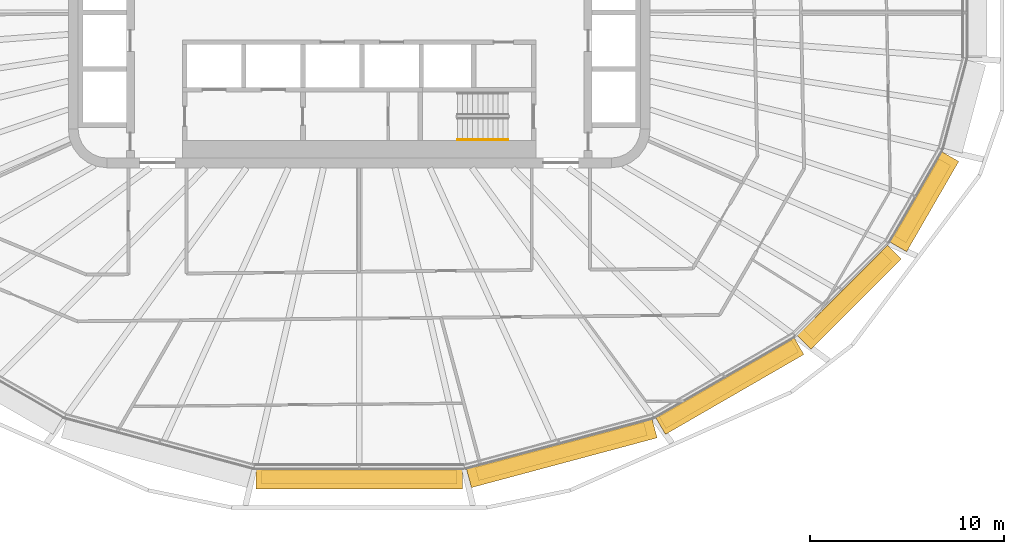
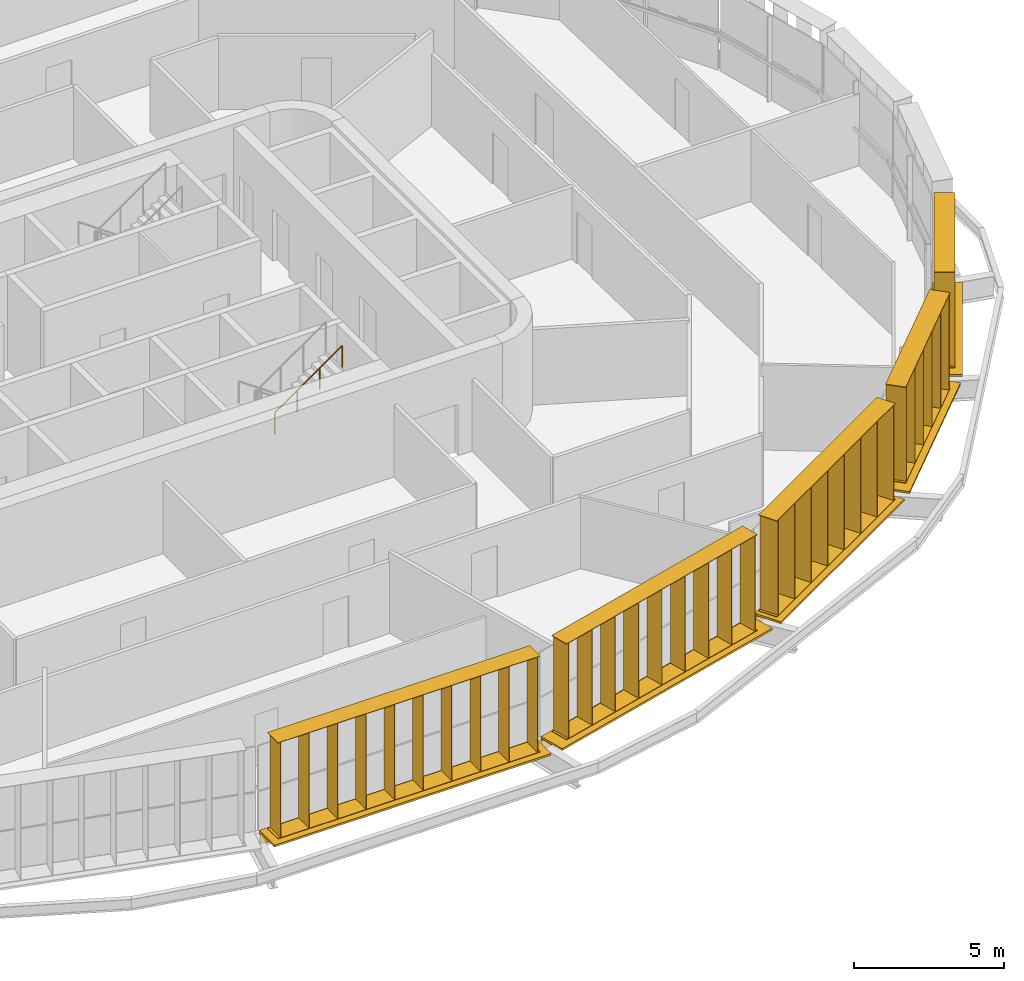
# One storey, part 20 of 23: 10 shading devices, 1 railing.
"""IFC4 building model written with IfcOpenShell, lengths in metres."""

import ifcopenshell
import ifcopenshell.guid

model = None  # the IFC model being written
_history = None  # IfcOwnerHistory: only IFC2X3 demands one
_inside = {}  # id of a spatial element -> (the spatial element, [elements in it])
_under = {}  # id of a project, library or spatial element -> (it, [spatial elements below it])
_declared = {}  # id of a project -> (the project, [libraries it declares])
_typed = {}  # id of a type object -> (the type object, [elements of that type])
_made_of = {}  # id of a material, layer set ... -> (it, [elements and type objects made of it])


def new_model(schema):
    """Start an empty IFC model of exactly this schema.

    Asked for "IFC4X3", IfcOpenShell would pick the latest addendum, in which some entities
    have other attributes; the version numbers below select the first issue.
    IFC2X3 requires an IfcOwnerHistory on every rooted entity: one is made here for all.
    """
    global model, _history
    if schema == "IFC4X3":
        model = ifcopenshell.file(schema_version=(4, 3, 0, 0))
    else:
        model = ifcopenshell.file(schema=schema)
    _inside.clear()
    _under.clear()
    _declared.clear()
    _typed.clear()
    _made_of.clear()
    _history = None
    if model.schema == "IFC2X3":
        org = make("IfcOrganization", Name="unknown")
        user = make(
            "IfcPersonAndOrganization",
            ThePerson=make("IfcPerson", FamilyName="unknown"),
            TheOrganization=org,
        )
        app = make(
            "IfcApplication",
            ApplicationDeveloper=org,
            Version="unknown",
            ApplicationFullName="unknown",
            ApplicationIdentifier="unknown",
        )
        _history = make(
            "IfcOwnerHistory",
            OwningUser=user,
            OwningApplication=app,
            ChangeAction="ADDED",
            CreationDate=0,
        )
    return model


def make(cls, **values):
    """One entity of the class cls with the attributes given. An attribute that is None is left unset."""
    return model.create_entity(
        cls, **{name: value for name, value in values.items() if value is not None}
    )


def rooted(cls, **values):
    """An entity with a GlobalId (a new one), such as an element, a storey or a relation."""
    return make(cls, GlobalId=ifcopenshell.guid.new(), OwnerHistory=_history, **values)


def si_unit(unit_type, name, prefix=None):
    """IfcSIUnit, for example si_unit("LENGTHUNIT", "METRE", prefix="MILLI")."""
    return make("IfcSIUnit", UnitType=unit_type, Prefix=prefix, Name=name)


def assignment(units):
    """IfcUnitAssignment: the units of a project."""
    return None if units is None else make("IfcUnitAssignment", Units=units)


def point(xyz):
    """IfcCartesianPoint."""
    return None if xyz is None else make("IfcCartesianPoint", Coordinates=xyz)


def direction(xyz):
    """IfcDirection."""
    return None if xyz is None else make("IfcDirection", DirectionRatios=xyz)


def frame(location, z_axis=None, x_axis=None):
    """IfcAxis2Placement3D, a coordinate frame: its origin and axes. An axis left out is left unset."""
    return make(
        "IfcAxis2Placement3D",
        Location=point(location),
        Axis=direction(z_axis),
        RefDirection=direction(x_axis),
    )


def frame_2d(location, x_axis=None):
    """IfcAxis2Placement2D, a coordinate frame in the plane: its origin and x axis."""
    return make(
        "IfcAxis2Placement2D", Location=point(location), RefDirection=direction(x_axis)
    )


def origin():
    """The frame at (0, 0, 0) with its axes left unset."""
    return frame((0.0, 0.0, 0.0))


def origin_2d():
    """The frame at (0, 0) in the plane with its x axis left unset."""
    return frame_2d((0.0, 0.0))


def place(relative_to, where):
    """IfcLocalPlacement: puts the frame where relative to a parent placement (None: the world)."""
    return make(
        "IfcLocalPlacement", PlacementRelTo=relative_to, RelativePlacement=where
    )


def context(
    kind, dimensions, precision=None, world=None, true_north=None, identifier=None
):
    """IfcGeometricRepresentationContext, for example the 3D "Model" context."""
    return make(
        "IfcGeometricRepresentationContext",
        ContextIdentifier=identifier,
        ContextType=kind,
        CoordinateSpaceDimension=dimensions,
        Precision=precision,
        WorldCoordinateSystem=world,
        TrueNorth=true_north,
    )


def subcontext(parent, identifier, kind, view, scale=None):
    """IfcGeometricRepresentationSubContext, for example "Body" below "Model"."""
    return make(
        "IfcGeometricRepresentationSubContext",
        ContextIdentifier=identifier,
        ContextType=kind,
        ParentContext=parent,
        TargetScale=scale,
        TargetView=view,
    )


def project(units=None, contexts=None):
    """IfcProject with its units and contexts."""
    return rooted(
        "IfcProject",
        Name="project",
        RepresentationContexts=contexts,
        UnitsInContext=assignment(units),
    )


def spatial(cls, under=None, at=None, **own):
    """A site, building, storey or space (cls), placed at a placement, below another one or the project."""
    s = rooted(cls, ObjectPlacement=at, **own)
    if under is not None:
        _under.setdefault(under.id(), (under, []))[1].append(s)
    return s


def profile(cls, at=None, kind="AREA", **sizes):
    """A parametric profile (cls). Its sizes go by their IFC names, for example OverallWidth=200.0."""
    return make(cls, ProfileType=kind, Position=at, **sizes)


def rectangle(**sizes):
    """IfcRectangleProfileDef."""
    return profile("IfcRectangleProfileDef", **sizes)


def circle(**sizes):
    """IfcCircleProfileDef."""
    return profile("IfcCircleProfileDef", **sizes)


def extrude(swept, where, along, depth):
    """IfcExtrudedAreaSolid: the profile swept, set in the frame where, extruded along a direction by depth."""
    return make(
        "IfcExtrudedAreaSolid",
        SweptArea=swept,
        Position=where,
        ExtrudedDirection=direction(along),
        Depth=depth,
    )


def shape(context_of_items, identifier, shape_type, items):
    """IfcShapeRepresentation: the items that make up one representation, for example the "Body"."""
    return make(
        "IfcShapeRepresentation",
        ContextOfItems=context_of_items,
        RepresentationIdentifier=identifier,
        RepresentationType=shape_type,
        Items=items,
    )


def material(Name=None, Category=None):
    """IfcMaterial."""
    return make("IfcMaterial", Name=Name, Category=Category)


def made_of(thing, what):
    """Note that an element or type object is made of a material, layer set ...; save() writes the relation."""
    if what is not None:
        _made_of.setdefault(what.id(), (what, []))[1].append(thing)
    return thing


def type_object(cls, material=None, **own):
    """A type object (cls), such as IfcWallType, which elements share."""
    return made_of(rooted(cls, **own), material)


def element(
    cls,
    number,
    at=None,
    inside=None,
    cuts=None,
    type_object=None,
    material=None,
    context=None,
    identifier="Body",
    shape_type=None,
    held_by="IfcProductDefinitionShape",
    body=None,
    shapes=None,
    **own,
):
    """One element of the class cls, such as IfcWall. Its Tag is "e" and its number.

    at: its placement. inside: the storey or other place that contains it. cuts: it is an
    opening in that element (IfcRelVoidsElement). A single representation is given by context,
    identifier, shape_type and body (its items); several are given by shapes. held_by: the class
    of the entity that holds the representations. save() writes the other relations.
    """
    e = rooted(cls, Tag="e%d" % number, ObjectPlacement=at, **own)
    if body is not None:
        shapes = [shape(context, identifier, shape_type, body)]
    if shapes is not None:
        e.Representation = make(held_by, Representations=shapes)
    if inside is not None:
        _inside.setdefault(inside.id(), (inside, []))[1].append(e)
    if cuts is not None:
        rooted(
            "IfcRelVoidsElement", RelatingBuildingElement=cuts, RelatedOpeningElement=e
        )
    if type_object is not None:
        _typed.setdefault(type_object.id(), (type_object, []))[1].append(e)
    return made_of(e, material)


def aggregate(whole, parts):
    """IfcRelAggregates: a whole, such as a stair, and the parts it consists of."""
    return rooted("IfcRelAggregates", RelatingObject=whole, RelatedObjects=parts)


def save(model, path):
    """Write the relations noted so far, then the file.

    IfcRelAggregates (storeys below a building ...), IfcRelContainedInSpatialStructure (elements
    in a storey), IfcRelDefinesByType, IfcRelAssociatesMaterial and IfcRelDeclares: one each for
    every whole, place, type object, material and project.
    """
    for whole, parts in _under.values():
        aggregate(whole, parts)
    for where, things in _inside.values():
        rooted(
            "IfcRelContainedInSpatialStructure",
            RelatedElements=things,
            RelatingStructure=where,
        )
    for kind, things in _typed.values():
        rooted("IfcRelDefinesByType", RelatedObjects=things, RelatingType=kind)
    for what, things in _made_of.values():
        rooted("IfcRelAssociatesMaterial", RelatedObjects=things, RelatingMaterial=what)
    for by, libraries in _declared.values():
        rooted("IfcRelDeclares", RelatingContext=by, RelatedDefinitions=libraries)
    model.write(path)


model = new_model("IFC4")

# Units and contexts
model_context = context("Model", 3, precision=1e-05, world=origin(), true_north=direction((0.0, 1.0)))
body_context = subcontext(model_context, "Body", "Model", "MODEL_VIEW")
ifc_project = project(units=[si_unit("LENGTHUNIT", "METRE"), si_unit("AREAUNIT", "SQUARE_METRE"), si_unit("VOLUMEUNIT", "CUBIC_METRE"), si_unit("PLANEANGLEUNIT", "RADIAN"), si_unit("MASSUNIT", "GRAM", prefix="KILO")], contexts=[model_context])

# Site, building, storey
site_placement = place(None, origin())
site = spatial("IfcSite", under=ifc_project, at=site_placement, CompositionType="ELEMENT")
building_placement = place(site_placement, origin())
building = spatial("IfcBuilding", under=site, at=building_placement, Name="Sahrelin Media Tower", CompositionType="ELEMENT")
storey_placement = place(building_placement, frame((0.0, 0.0, 161.60009765625)))
storey = spatial("IfcBuildingStorey", under=building, at=storey_placement, Name="L33", CompositionType="ELEMENT", Elevation=161.60009765625)

# Shading devices
ifc_material_1 = material(Name="Champagne anodised aluminium 6063-T6", Category="aluminium")
shading_device_type_1 = type_object("IfcShadingDeviceType", Name="Fin cassette", PredefinedType="USERDEFINED", material=ifc_material_1)
placement_1 = place(storey_placement, frame((0.0, -23.532470703125, 0.0), z_axis=(0.0, 0.0, 1.0), x_axis=(-1.0, 0.0, 0.0)))
element("IfcShadingDevice", 1, at=placement_1, inside=storey, type_object=shading_device_type_1, Name="L33:FIN:L33-18", ObjectType="FIN", PredefinedType="USERDEFINED", context=body_context, shape_type="SweptSolid", body=[
    extrude(rectangle(XDim=10.10009765625, YDim=0.699951171875, at=origin_2d()), frame((0.0, 0.419921875, 0.0)), (0.0, 0.0, 1.0), 0.02001953125),
    extrude(rectangle(XDim=10.10009765625, YDim=0.699951171875, at=origin_2d()), frame((0.0, 0.419921875, 3.89990234375)), (0.0, 0.0, 1.0), 0.02001953125),
    extrude(rectangle(XDim=0.02001953125, YDim=0.699951171875, at=origin_2d()), frame((-4.949951171875, 0.419921875, 0.010009765625), z_axis=(0.0, 0.0, 1.0), x_axis=(1.0, 0.0, 0.0)), (0.0, 0.0, 1.0), 3.89990234375),
    extrude(rectangle(XDim=0.02001953125, YDim=0.699951171875, at=origin_2d()), frame((-3.85009765625, 0.419921875, 0.010009765625), z_axis=(0.0, 0.0, 1.0), x_axis=(1.0, 0.0, 0.0)), (0.0, 0.0, 1.0), 3.89990234375),
    extrude(rectangle(XDim=0.02001953125, YDim=0.699951171875, at=origin_2d()), frame((-2.75, 0.419921875, 0.010009765625), z_axis=(0.0, 0.0, 1.0), x_axis=(1.0, 0.0, 0.0)), (0.0, 0.0, 1.0), 3.89990234375),
    extrude(rectangle(XDim=0.02001953125, YDim=0.699951171875, at=origin_2d()), frame((-1.64990234375, 0.419921875, 0.010009765625), z_axis=(0.0, 0.0, 1.0), x_axis=(1.0, 0.0, 0.0)), (0.0, 0.0, 1.0), 3.89990234375),
    extrude(rectangle(XDim=0.02001953125, YDim=0.699951171875, at=origin_2d()), frame((-0.550048828125, 0.419921875, 0.010009765625), z_axis=(0.0, 0.0, 1.0), x_axis=(1.0, 0.0, 0.0)), (0.0, 0.0, 1.0), 3.89990234375),
    extrude(rectangle(XDim=0.02001953125, YDim=0.699951171875, at=origin_2d()), frame((0.550048828125, 0.419921875, 0.010009765625), z_axis=(0.0, 0.0, 1.0), x_axis=(1.0, 0.0, 0.0)), (0.0, 0.0, 1.0), 3.89990234375),
    extrude(rectangle(XDim=0.02001953125, YDim=0.699951171875, at=origin_2d()), frame((1.64990234375, 0.419921875, 0.010009765625), z_axis=(0.0, 0.0, 1.0), x_axis=(1.0, 0.0, 0.0)), (0.0, 0.0, 1.0), 3.89990234375),
    extrude(rectangle(XDim=0.02001953125, YDim=0.699951171875, at=origin_2d()), frame((2.75, 0.419921875, 0.010009765625), z_axis=(0.0, 0.0, 1.0), x_axis=(1.0, 0.0, 0.0)), (0.0, 0.0, 1.0), 3.89990234375),
    extrude(rectangle(XDim=0.02001953125, YDim=0.699951171875, at=origin_2d()), frame((3.85009765625, 0.419921875, 0.010009765625), z_axis=(0.0, 0.0, 1.0), x_axis=(1.0, 0.0, 0.0)), (0.0, 0.0, 1.0), 3.89990234375),
    extrude(rectangle(XDim=0.02001953125, YDim=0.699951171875, at=origin_2d()), frame((4.949951171875, 0.419921875, 0.010009765625), z_axis=(0.0, 0.0, 1.0), x_axis=(1.0, 0.0, 0.0)), (0.0, 0.0, 1.0), 3.89990234375),
])
placement_2 = place(storey_placement, frame((10.312255859375, -22.2236328125, 0.0), z_axis=(0.0, 0.0, 1.0), x_axis=(-0.965928857556, -0.258807731996, 0.0)))
element("IfcShadingDevice", 2, at=placement_2, inside=storey, type_object=shading_device_type_1, Name="L33:FIN:L33-19", ObjectType="FIN", PredefinedType="USERDEFINED", context=body_context, shape_type="SweptSolid", body=[
    extrude(rectangle(XDim=9.0, YDim=0.699951171875, at=origin_2d()), frame((0.0, 0.419921875, 0.0)), (0.0, 0.0, 1.0), 0.02001953125),
    extrude(rectangle(XDim=9.0, YDim=0.699951171875, at=origin_2d()), frame((0.0, 0.419921875, 3.89990234375)), (0.0, 0.0, 1.0), 0.02001953125),
    extrude(rectangle(XDim=0.02001953125, YDim=0.699951171875, at=origin_2d()), frame((-4.39990234375, 0.419921875, 0.010009765625), z_axis=(0.0, 0.0, 1.0), x_axis=(1.0, 0.0, 0.0)), (0.0, 0.0, 1.0), 3.89990234375),
    extrude(rectangle(XDim=0.02001953125, YDim=0.699951171875, at=origin_2d()), frame((-3.300048828125, 0.419921875, 0.010009765625), z_axis=(0.0, 0.0, 1.0), x_axis=(1.0, 0.0, 0.0)), (0.0, 0.0, 1.0), 3.89990234375),
    extrude(rectangle(XDim=0.02001953125, YDim=0.699951171875, at=origin_2d()), frame((-2.199951171875, 0.419921875, 0.010009765625), z_axis=(0.0, 0.0, 1.0), x_axis=(1.0, 0.0, 0.0)), (0.0, 0.0, 1.0), 3.89990234375),
    extrude(rectangle(XDim=0.02001953125, YDim=0.699951171875, at=origin_2d()), frame((-1.10009765625, 0.419921875, 0.010009765625), z_axis=(0.0, 0.0, 1.0), x_axis=(1.0, 0.0, 0.0)), (0.0, 0.0, 1.0), 3.89990234375),
    extrude(rectangle(XDim=0.02001953125, YDim=0.699951171875, at=origin_2d()), frame((0.0, 0.419921875, 0.010009765625), z_axis=(0.0, 0.0, 1.0), x_axis=(1.0, 0.0, 0.0)), (0.0, 0.0, 1.0), 3.89990234375),
    extrude(rectangle(XDim=0.02001953125, YDim=0.699951171875, at=origin_2d()), frame((1.10009765625, 0.419921875, 0.010009765625), z_axis=(0.0, 0.0, 1.0), x_axis=(1.0, 0.0, 0.0)), (0.0, 0.0, 1.0), 3.89990234375),
    extrude(rectangle(XDim=0.02001953125, YDim=0.699951171875, at=origin_2d()), frame((2.199951171875, 0.419921875, 0.010009765625), z_axis=(0.0, 0.0, 1.0), x_axis=(1.0, 0.0, 0.0)), (0.0, 0.0, 1.0), 3.89990234375),
    extrude(rectangle(XDim=0.02001953125, YDim=0.699951171875, at=origin_2d()), frame((3.300048828125, 0.419921875, 0.010009765625), z_axis=(0.0, 0.0, 1.0), x_axis=(1.0, 0.0, 0.0)), (0.0, 0.0, 1.0), 3.89990234375),
    extrude(rectangle(XDim=0.02001953125, YDim=0.699951171875, at=origin_2d()), frame((4.39990234375, 0.419921875, 0.010009765625), z_axis=(0.0, 0.0, 1.0), x_axis=(1.0, 0.0, 0.0)), (0.0, 0.0, 1.0), 3.89990234375),
])
placement_3 = place(storey_placement, frame((18.85107421875, -18.804931640625, 0.0), z_axis=(0.0, 0.0, 1.0), x_axis=(-0.866019052629, -0.500011000363, 0.0)))
element("IfcShadingDevice", 3, at=placement_3, inside=storey, type_object=shading_device_type_1, Name="L33:FIN:L33-20", ObjectType="FIN", PredefinedType="USERDEFINED", context=body_context, shape_type="SweptSolid", body=[
    extrude(rectangle(XDim=7.89990234375, YDim=0.699951171875, at=origin_2d()), frame((0.0, 0.419921875, 0.0)), (0.0, 0.0, 1.0), 0.02001953125),
    extrude(rectangle(XDim=7.89990234375, YDim=0.699951171875, at=origin_2d()), frame((0.0, 0.419921875, 3.89990234375)), (0.0, 0.0, 1.0), 0.02001953125),
    extrude(rectangle(XDim=0.02001953125, YDim=0.699951171875, at=origin_2d()), frame((-3.85009765625, 0.419921875, 0.010009765625), z_axis=(0.0, 0.0, 1.0), x_axis=(1.0, 0.0, 0.0)), (0.0, 0.0, 1.0), 3.89990234375),
    extrude(rectangle(XDim=0.02001953125, YDim=0.699951171875, at=origin_2d()), frame((-2.75, 0.419921875, 0.010009765625), z_axis=(0.0, 0.0, 1.0), x_axis=(1.0, 0.0, 0.0)), (0.0, 0.0, 1.0), 3.89990234375),
    extrude(rectangle(XDim=0.02001953125, YDim=0.699951171875, at=origin_2d()), frame((-1.64990234375, 0.419921875, 0.010009765625), z_axis=(0.0, 0.0, 1.0), x_axis=(1.0, 0.0, 0.0)), (0.0, 0.0, 1.0), 3.89990234375),
    extrude(rectangle(XDim=0.02001953125, YDim=0.699951171875, at=origin_2d()), frame((-0.550048828125, 0.419921875, 0.010009765625), z_axis=(0.0, 0.0, 1.0), x_axis=(1.0, 0.0, 0.0)), (0.0, 0.0, 1.0), 3.89990234375),
    extrude(rectangle(XDim=0.02001953125, YDim=0.699951171875, at=origin_2d()), frame((0.550048828125, 0.419921875, 0.010009765625), z_axis=(0.0, 0.0, 1.0), x_axis=(1.0, 0.0, 0.0)), (0.0, 0.0, 1.0), 3.89990234375),
    extrude(rectangle(XDim=0.02001953125, YDim=0.699951171875, at=origin_2d()), frame((1.64990234375, 0.419921875, 0.010009765625), z_axis=(0.0, 0.0, 1.0), x_axis=(1.0, 0.0, 0.0)), (0.0, 0.0, 1.0), 3.89990234375),
    extrude(rectangle(XDim=0.02001953125, YDim=0.699951171875, at=origin_2d()), frame((2.75, 0.419921875, 0.010009765625), z_axis=(0.0, 0.0, 1.0), x_axis=(1.0, 0.0, 0.0)), (0.0, 0.0, 1.0), 3.89990234375),
    extrude(rectangle(XDim=0.02001953125, YDim=0.699951171875, at=origin_2d()), frame((3.85009765625, 0.419921875, 0.010009765625), z_axis=(0.0, 0.0, 1.0), x_axis=(1.0, 0.0, 0.0)), (0.0, 0.0, 1.0), 3.89990234375),
])
placement_4 = place(storey_placement, frame((24.900390625, -14.300048828125, 0.0), z_axis=(0.0, 0.0, 1.0), x_axis=(-0.707106781187, -0.707106781187, 0.0)))
element("IfcShadingDevice", 4, at=placement_4, inside=storey, type_object=shading_device_type_1, Name="L33:FIN:L33-21", ObjectType="FIN", PredefinedType="USERDEFINED", context=body_context, shape_type="SweptSolid", body=[
    extrude(rectangle(XDim=5.699951171875, YDim=0.699951171875, at=origin_2d()), frame((0.0, 0.419921875, 0.0)), (0.0, 0.0, 1.0), 0.02001953125),
    extrude(rectangle(XDim=5.699951171875, YDim=0.699951171875, at=origin_2d()), frame((0.0, 0.419921875, 3.89990234375)), (0.0, 0.0, 1.0), 0.02001953125),
    extrude(rectangle(XDim=0.02001953125, YDim=0.699951171875, at=origin_2d()), frame((-2.75, 0.419921875, 0.010009765625), z_axis=(0.0, 0.0, 1.0), x_axis=(1.0, 0.0, 0.0)), (0.0, 0.0, 1.0), 3.89990234375),
    extrude(rectangle(XDim=0.02001953125, YDim=0.699951171875, at=origin_2d()), frame((-1.64990234375, 0.419921875, 0.010009765625), z_axis=(0.0, 0.0, 1.0), x_axis=(1.0, 0.0, 0.0)), (0.0, 0.0, 1.0), 3.89990234375),
    extrude(rectangle(XDim=0.02001953125, YDim=0.699951171875, at=origin_2d()), frame((-0.550048828125, 0.419921875, 0.010009765625), z_axis=(0.0, 0.0, 1.0), x_axis=(1.0, 0.0, 0.0)), (0.0, 0.0, 1.0), 3.89990234375),
    extrude(rectangle(XDim=0.02001953125, YDim=0.699951171875, at=origin_2d()), frame((0.550048828125, 0.419921875, 0.010009765625), z_axis=(0.0, 0.0, 1.0), x_axis=(1.0, 0.0, 0.0)), (0.0, 0.0, 1.0), 3.89990234375),
    extrude(rectangle(XDim=0.02001953125, YDim=0.699951171875, at=origin_2d()), frame((1.64990234375, 0.419921875, 0.010009765625), z_axis=(0.0, 0.0, 1.0), x_axis=(1.0, 0.0, 0.0)), (0.0, 0.0, 1.0), 3.89990234375),
    extrude(rectangle(XDim=0.02001953125, YDim=0.699951171875, at=origin_2d()), frame((2.75, 0.419921875, 0.010009765625), z_axis=(0.0, 0.0, 1.0), x_axis=(1.0, 0.0, 0.0)), (0.0, 0.0, 1.0), 3.89990234375),
])
placement_5 = place(storey_placement, frame((28.689208984375, -9.490966796875, 0.0), z_axis=(0.0, 0.0, 1.0), x_axis=(-0.500011000363, -0.866019052629, 0.0)))
element("IfcShadingDevice", 5, at=placement_5, inside=storey, type_object=shading_device_type_1, Name="L33:FIN:L33-22", ObjectType="FIN", PredefinedType="USERDEFINED", context=body_context, shape_type="SweptSolid", body=[
    extrude(rectangle(XDim=4.60009765625, YDim=0.699951171875, at=origin_2d()), frame((0.0, 0.419921875, 0.0)), (0.0, 0.0, 1.0), 0.02001953125),
    extrude(rectangle(XDim=4.60009765625, YDim=0.699951171875, at=origin_2d()), frame((0.0, 0.419921875, 3.89990234375)), (0.0, 0.0, 1.0), 0.02001953125),
    extrude(rectangle(XDim=0.02001953125, YDim=0.699951171875, at=origin_2d()), frame((-2.199951171875, 0.419921875, 0.010009765625), z_axis=(0.0, 0.0, 1.0), x_axis=(1.0, 0.0, 0.0)), (0.0, 0.0, 1.0), 3.89990234375),
    extrude(rectangle(XDim=0.02001953125, YDim=0.699951171875, at=origin_2d()), frame((-1.10009765625, 0.419921875, 0.010009765625), z_axis=(0.0, 0.0, 1.0), x_axis=(1.0, 0.0, 0.0)), (0.0, 0.0, 1.0), 3.89990234375),
    extrude(rectangle(XDim=0.02001953125, YDim=0.699951171875, at=origin_2d()), frame((0.0, 0.419921875, 0.010009765625), z_axis=(0.0, 0.0, 1.0), x_axis=(1.0, 0.0, 0.0)), (0.0, 0.0, 1.0), 3.89990234375),
    extrude(rectangle(XDim=0.02001953125, YDim=0.699951171875, at=origin_2d()), frame((1.10009765625, 0.419921875, 0.010009765625), z_axis=(0.0, 0.0, 1.0), x_axis=(1.0, 0.0, 0.0)), (0.0, 0.0, 1.0), 3.89990234375),
    extrude(rectangle(XDim=0.02001953125, YDim=0.699951171875, at=origin_2d()), frame((2.199951171875, 0.419921875, 0.010009765625), z_axis=(0.0, 0.0, 1.0), x_axis=(1.0, 0.0, 0.0)), (0.0, 0.0, 1.0), 3.89990234375),
])

# Railing
ifc_material_2 = material(Name="Steel S355", Category="steel")
railing_type = type_object("IfcRailingType", Name="Stair handrail 900", PredefinedType="HANDRAIL", material=ifc_material_2)
railing_placement = place(storey_placement, frame((5.074951171875, -6.550048828125, 2.181640625)))
element("IfcRailing", 6, at=railing_placement, inside=storey, type_object=railing_type, Name="L33 ST2 stair handrail 2", PredefinedType="HANDRAIL", context=body_context, shape_type="SweptSolid", body=[
    extrude(circle(Radius=0.02392578125, at=origin_2d()), frame((0.0, 0.0, 0.8759765625), z_axis=(0.819484887739, 0.0, 0.573100792852), x_axis=(0.0, 1.0, 0.0)), (0.0, 0.0, 1.0), 3.1728515625),
    extrude(circle(Radius=0.02099609375, at=origin_2d()), origin(), (0.0, 0.0, 1.0), 0.851806640625),
    extrude(circle(Radius=0.02099609375, at=origin_2d()), frame((0.86669921875, 0.0, 0.606201171875)), (0.0, 0.0, 1.0), 0.851806640625),
    extrude(circle(Radius=0.02099609375, at=origin_2d()), frame((1.7333984375, 0.0, 1.212158203125)), (0.0, 0.0, 1.0), 0.851806640625),
    extrude(circle(Radius=0.02099609375, at=origin_2d()), frame((2.60009765625, 0.0, 1.818359375)), (0.0, 0.0, 1.0), 0.851806640625),
])

# Shading devices
shading_device_type_2 = type_object("IfcShadingDeviceType", Name="Sunshade band", PredefinedType="USERDEFINED", material=ifc_material_1)
element("IfcShadingDevice", 7, at=placement_1, inside=storey, type_object=shading_device_type_2, Name="L33:SUN:L33-18", ObjectType="SUNSHADE", PredefinedType="USERDEFINED", context=body_context, shape_type="SweptSolid", body=[
    extrude(rectangle(XDim=10.656494140625, YDim=0.050048828125, at=origin_2d()), frame((0.0, 0.044921875, -0.55126953125)), (0.0, 0.0, 1.0), 0.471435546875),
    extrude(rectangle(XDim=10.656494140625, YDim=1.0, at=origin_2d()), frame((0.0, 0.52001953125, -0.080078125)), (0.0, 0.0, 1.0), 0.080078125),
    extrude(rectangle(XDim=0.10009765625, YDim=0.074951171875, at=origin_2d()), frame((-5.228271484375, -0.017578125, -0.47021484375)), (0.0, 0.0, 1.0), 0.300048828125),
    extrude(rectangle(XDim=0.10009765625, YDim=0.074951171875, at=origin_2d()), frame((-3.485595703125, -0.017578125, -0.47021484375)), (0.0, 0.0, 1.0), 0.300048828125),
    extrude(rectangle(XDim=0.10009765625, YDim=0.074951171875, at=origin_2d()), frame((-1.74267578125, -0.017578125, -0.47021484375)), (0.0, 0.0, 1.0), 0.300048828125),
    extrude(rectangle(XDim=0.10009765625, YDim=0.074951171875, at=origin_2d()), frame((0.0, -0.017578125, -0.47021484375)), (0.0, 0.0, 1.0), 0.300048828125),
    extrude(rectangle(XDim=0.10009765625, YDim=0.074951171875, at=origin_2d()), frame((1.74267578125, -0.017578125, -0.47021484375)), (0.0, 0.0, 1.0), 0.300048828125),
    extrude(rectangle(XDim=0.10009765625, YDim=0.074951171875, at=origin_2d()), frame((3.485595703125, -0.017578125, -0.47021484375)), (0.0, 0.0, 1.0), 0.300048828125),
    extrude(rectangle(XDim=0.10009765625, YDim=0.074951171875, at=origin_2d()), frame((5.228271484375, -0.017578125, -0.47021484375)), (0.0, 0.0, 1.0), 0.300048828125),
])
element("IfcShadingDevice", 8, at=placement_2, inside=storey, type_object=shading_device_type_2, Name="L33:SUN:L33-19", ObjectType="SUNSHADE", PredefinedType="USERDEFINED", context=body_context, shape_type="SweptSolid", body=[
    extrude(rectangle(XDim=9.91259765625, YDim=0.050048828125, at=origin_2d()), frame((0.0, 0.044921875, -0.55126953125)), (0.0, 0.0, 1.0), 0.471435546875),
    extrude(rectangle(XDim=9.91259765625, YDim=1.0, at=origin_2d()), frame((0.0, 0.52001953125, -0.080078125)), (0.0, 0.0, 1.0), 0.080078125),
    extrude(rectangle(XDim=0.10009765625, YDim=0.074951171875, at=origin_2d()), frame((-4.856201171875, -0.017578125, -0.47021484375)), (0.0, 0.0, 1.0), 0.300048828125),
    extrude(rectangle(XDim=0.10009765625, YDim=0.074951171875, at=origin_2d()), frame((-2.913818359375, -0.017578125, -0.47021484375)), (0.0, 0.0, 1.0), 0.300048828125),
    extrude(rectangle(XDim=0.10009765625, YDim=0.074951171875, at=origin_2d()), frame((-0.97119140625, -0.017578125, -0.47021484375)), (0.0, 0.0, 1.0), 0.300048828125),
    extrude(rectangle(XDim=0.10009765625, YDim=0.074951171875, at=origin_2d()), frame((0.97119140625, -0.017578125, -0.47021484375)), (0.0, 0.0, 1.0), 0.300048828125),
    extrude(rectangle(XDim=0.10009765625, YDim=0.074951171875, at=origin_2d()), frame((2.913818359375, -0.017578125, -0.47021484375)), (0.0, 0.0, 1.0), 0.300048828125),
    extrude(rectangle(XDim=0.10009765625, YDim=0.074951171875, at=origin_2d()), frame((4.856201171875, -0.017578125, -0.47021484375)), (0.0, 0.0, 1.0), 0.300048828125),
])
element("IfcShadingDevice", 9, at=placement_3, inside=storey, type_object=shading_device_type_2, Name="L33:SUN:L33-20", ObjectType="SUNSHADE", PredefinedType="USERDEFINED", context=body_context, shape_type="SweptSolid", body=[
    extrude(rectangle(XDim=8.240478515625, YDim=0.050048828125, at=origin_2d()), frame((0.0, 0.044921875, -0.55126953125)), (0.0, 0.0, 1.0), 0.471435546875),
    extrude(rectangle(XDim=8.240478515625, YDim=1.0, at=origin_2d()), frame((0.0, 0.52001953125, -0.080078125)), (0.0, 0.0, 1.0), 0.080078125),
    extrude(rectangle(XDim=0.10009765625, YDim=0.074951171875, at=origin_2d()), frame((-4.020263671875, -0.017578125, -0.47021484375)), (0.0, 0.0, 1.0), 0.300048828125),
    extrude(rectangle(XDim=0.10009765625, YDim=0.074951171875, at=origin_2d()), frame((-2.412109375, -0.017578125, -0.47021484375)), (0.0, 0.0, 1.0), 0.300048828125),
    extrude(rectangle(XDim=0.10009765625, YDim=0.074951171875, at=origin_2d()), frame((-0.803955078125, -0.017578125, -0.47021484375)), (0.0, 0.0, 1.0), 0.300048828125),
    extrude(rectangle(XDim=0.10009765625, YDim=0.074951171875, at=origin_2d()), frame((0.803955078125, -0.017578125, -0.47021484375)), (0.0, 0.0, 1.0), 0.300048828125),
    extrude(rectangle(XDim=0.10009765625, YDim=0.074951171875, at=origin_2d()), frame((2.412109375, -0.017578125, -0.47021484375)), (0.0, 0.0, 1.0), 0.300048828125),
    extrude(rectangle(XDim=0.10009765625, YDim=0.074951171875, at=origin_2d()), frame((4.020263671875, -0.017578125, -0.47021484375)), (0.0, 0.0, 1.0), 0.300048828125),
])
element("IfcShadingDevice", 10, at=placement_4, inside=storey, type_object=shading_device_type_2, Name="L33:SUN:L33-21", ObjectType="SUNSHADE", PredefinedType="USERDEFINED", context=body_context, shape_type="SweptSolid", body=[
    extrude(rectangle(XDim=6.573486328125, YDim=0.050048828125, at=origin_2d()), frame((0.0, 0.044921875, -0.55126953125)), (0.0, 0.0, 1.0), 0.471435546875),
    extrude(rectangle(XDim=6.573486328125, YDim=1.0, at=origin_2d()), frame((0.0, 0.52001953125, -0.080078125)), (0.0, 0.0, 1.0), 0.080078125),
    extrude(rectangle(XDim=0.10009765625, YDim=0.074951171875, at=origin_2d()), frame((-3.186767578125, -0.017578125, -0.47021484375)), (0.0, 0.0, 1.0), 0.300048828125),
    extrude(rectangle(XDim=0.10009765625, YDim=0.074951171875, at=origin_2d()), frame((-1.59326171875, -0.017578125, -0.47021484375)), (0.0, 0.0, 1.0), 0.300048828125),
    extrude(rectangle(XDim=0.10009765625, YDim=0.074951171875, at=origin_2d()), frame((0.0, -0.017578125, -0.47021484375)), (0.0, 0.0, 1.0), 0.300048828125),
    extrude(rectangle(XDim=0.10009765625, YDim=0.074951171875, at=origin_2d()), frame((1.59326171875, -0.017578125, -0.47021484375)), (0.0, 0.0, 1.0), 0.300048828125),
    extrude(rectangle(XDim=0.10009765625, YDim=0.074951171875, at=origin_2d()), frame((3.186767578125, -0.017578125, -0.47021484375)), (0.0, 0.0, 1.0), 0.300048828125),
])
element("IfcShadingDevice", 11, at=placement_5, inside=storey, type_object=shading_device_type_2, Name="L33:SUN:L33-22", ObjectType="SUNSHADE", PredefinedType="USERDEFINED", context=body_context, shape_type="SweptSolid", body=[
    extrude(rectangle(XDim=5.375732421875, YDim=0.050048828125, at=origin_2d()), frame((0.0, 0.044921875, -0.55126953125)), (0.0, 0.0, 1.0), 0.471435546875),
    extrude(rectangle(XDim=5.375732421875, YDim=1.0, at=origin_2d()), frame((0.0, 0.52001953125, -0.080078125)), (0.0, 0.0, 1.0), 0.080078125),
    extrude(rectangle(XDim=0.10009765625, YDim=0.074951171875, at=origin_2d()), frame((-2.587890625, -0.017578125, -0.47021484375)), (0.0, 0.0, 1.0), 0.300048828125),
    extrude(rectangle(XDim=0.10009765625, YDim=0.074951171875, at=origin_2d()), frame((-0.862548828125, -0.017578125, -0.47021484375)), (0.0, 0.0, 1.0), 0.300048828125),
    extrude(rectangle(XDim=0.10009765625, YDim=0.074951171875, at=origin_2d()), frame((0.862548828125, -0.017578125, -0.47021484375)), (0.0, 0.0, 1.0), 0.300048828125),
    extrude(rectangle(XDim=0.10009765625, YDim=0.074951171875, at=origin_2d()), frame((2.587890625, -0.017578125, -0.47021484375)), (0.0, 0.0, 1.0), 0.300048828125),
])

save(model, "model.ifc")
